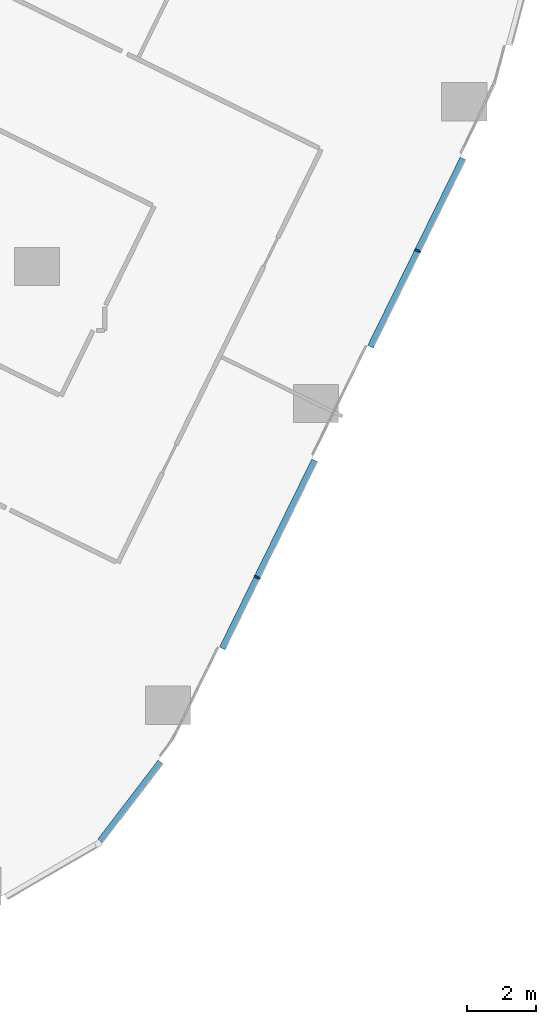
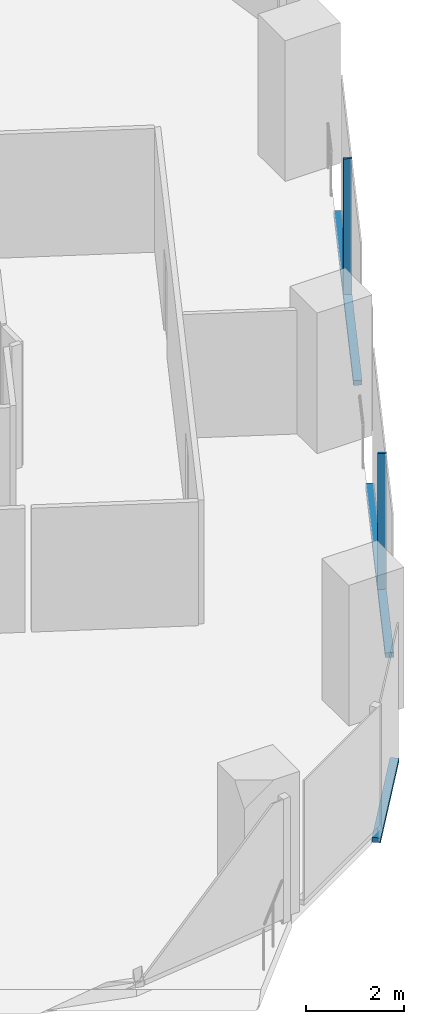
# One storey, part 9 of 32: 5 members, 2 elements without a shape of their own.
"""IFC4 building model written with IfcOpenShell, lengths in metres."""

from ifc_helpers import new_model, si_unit, direction, frame, origin, origin_2d, place, context, subcontext, project, spatial, rectangle, extrude, material, material_profile, profile_set, type_object, element, aggregate, save


model = new_model("IFC4")

# Units and contexts
model_context = context("Model", 3, precision=1e-05, world=origin(), true_north=direction((0.0, 1.0)))
body_context = subcontext(model_context, "Body", "Model", "MODEL_VIEW")
ifc_project = project(units=[si_unit("LENGTHUNIT", "METRE"), si_unit("AREAUNIT", "SQUARE_METRE"), si_unit("VOLUMEUNIT", "CUBIC_METRE"), si_unit("PLANEANGLEUNIT", "RADIAN"), si_unit("MASSUNIT", "GRAM", prefix="KILO")], contexts=[model_context])

# Site, building, storey
site_placement = place(None, origin())
site = spatial("IfcSite", under=ifc_project, at=site_placement, CompositionType="ELEMENT")
building_placement = place(site_placement, origin())
building = spatial("IfcBuilding", under=site, at=building_placement, Name="Orlundy Tower", CompositionType="ELEMENT")
storey_placement = place(building_placement, frame((0.0, 0.0, 58.800048828125)))
storey = spatial("IfcBuildingStorey", under=building, at=storey_placement, Name="L13", CompositionType="ELEMENT", Elevation=58.800048828125)

# Curtain wall, members
ifc_material_1 = material(Name="Aluminium bronze anodised", Category="aluminium")
curtain_wall_type = type_object("IfcCurtainWallType", Name="CW1 wall", PredefinedType="NOTDEFINED", material=ifc_material_1)
curtain_wall_1_placement = place(storey_placement, origin())
curtain_wall_1 = element("IfcCurtainWall", 1, at=curtain_wall_1_placement, inside=storey, type_object=curtain_wall_type, Name="CW1 run 023", PredefinedType="NOTDEFINED")
ifc_material_2 = material(Name="Aluminium bronze anodised", Category="aluminium")
ifc_material_profile_1 = material_profile(ifc_material_2, rectangle(XDim=0.179931640625, YDim=0.050048828125, at=origin_2d()), Name="CW1 mullion 50x180")
ifc_profile_set_1 = profile_set([ifc_material_profile_1], Name="Aluminium bronze anodised")
member_type_1 = type_object("IfcMemberType", Name="CW1 mullion 50x180", PredefinedType="MULLION", material=ifc_profile_set_1)
member_1_placement = place(storey_placement, frame((56.695556640625, -22.00732421875, -0.400146484375), z_axis=(0.0, 0.0, 1.0), x_axis=(0.897501090883, -0.441012235503, 0.0)))
member_1 = element("IfcMember", 2, at=member_1_placement, type_object=member_type_1, Name="CW1 mullion 62", PredefinedType="MULLION", context=body_context, shape_type="SweptSolid", body=[
    extrude(rectangle(XDim=0.179931640625, YDim=0.050048828125, at=origin_2d()), origin(), (0.0, 0.0, 1.0), 3.5),
])
member_2_placement = place(storey_placement, frame((52.06494140625, -31.430908203125, -0.400146484375), z_axis=(0.0, 0.0, 1.0), x_axis=(0.897501090883, -0.441012235503, 0.0)))
member_2 = element("IfcMember", 3, at=member_2_placement, type_object=member_type_1, Name="CW1 mullion 64", PredefinedType="MULLION", context=body_context, shape_type="SweptSolid", body=[
    extrude(rectangle(XDim=0.179931640625, YDim=0.050048828125, at=origin_2d()), origin(), (0.0, 0.0, 1.0), 3.5),
])
ifc_material_3 = material(Name="Aluminium bronze anodised", Category="aluminium")
ifc_material_profile_2 = material_profile(ifc_material_3, rectangle(XDim=0.179931640625, YDim=0.1201171875, at=origin_2d()), Name="CW1 transom 180x120")
ifc_profile_set_2 = profile_set([ifc_material_profile_2], Name="Aluminium bronze anodised")
member_type_2 = type_object("IfcMemberType", Name="CW1 transom 180x120", PredefinedType="USERDEFINED", material=ifc_profile_set_2)
member_3_placement = place(storey_placement, frame((58.00341796875, -19.345703125, -0.340087890625), z_axis=(-0.441022472084, -0.897496060781, 0.0), x_axis=(0.897496060781, -0.441022472084, 0.0)))
member_3 = element("IfcMember", 4, at=member_3_placement, type_object=member_type_2, Name="CW1 transom", ObjectType="TRANSOM", PredefinedType="USERDEFINED", context=body_context, shape_type="SweptSolid", body=[
    extrude(rectangle(XDim=0.179931640625, YDim=0.1201171875, at=origin_2d()), origin(), (0.0, 0.0, 1.0), 6.0517578125),
])
member_4_placement = place(storey_placement, frame((53.724853515625, -28.052978515625, -0.340087890625), z_axis=(-0.441017433026, -0.897498536916, 0.0), x_axis=(0.897498536916, -0.441017433026, 0.0)))
member_4 = element("IfcMember", 5, at=member_4_placement, type_object=member_type_2, Name="CW1 transom", ObjectType="TRANSOM", PredefinedType="USERDEFINED", context=body_context, shape_type="SweptSolid", body=[
    extrude(rectangle(XDim=0.179931640625, YDim=0.1201171875, at=origin_2d()), origin(), (0.0, 0.0, 1.0), 6.046875),
])
aggregate(curtain_wall_1, [member_1, member_2, member_3, member_4])

# Curtain wall, member
curtain_wall_2_placement = place(storey_placement, origin())
curtain_wall_2 = element("IfcCurtainWall", 6, at=curtain_wall_2_placement, inside=storey, type_object=curtain_wall_type, Name="CW1 run 024", PredefinedType="NOTDEFINED")
member_5_placement = place(storey_placement, frame((49.278076171875, -36.761962890625, -0.340087890625), z_axis=(-0.607510178827, -0.794311892535, 0.0), x_axis=(0.794311892535, -0.607510178827, 0.0)))
member_5 = element("IfcMember", 7, at=member_5_placement, type_object=member_type_2, Name="CW1 transom", ObjectType="TRANSOM", PredefinedType="USERDEFINED", context=body_context, shape_type="SweptSolid", body=[
    extrude(rectangle(XDim=0.179931640625, YDim=0.1201171875, at=origin_2d()), origin(), (0.0, 0.0, 1.0), 2.8662109375),
])
aggregate(curtain_wall_2, [member_5])

save(model, "model.ifc")
